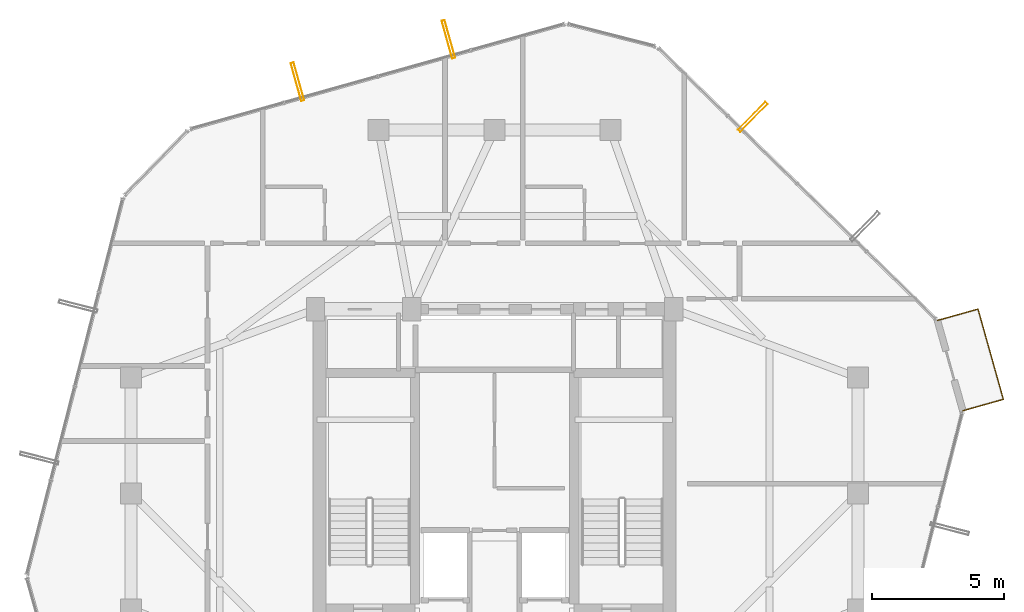
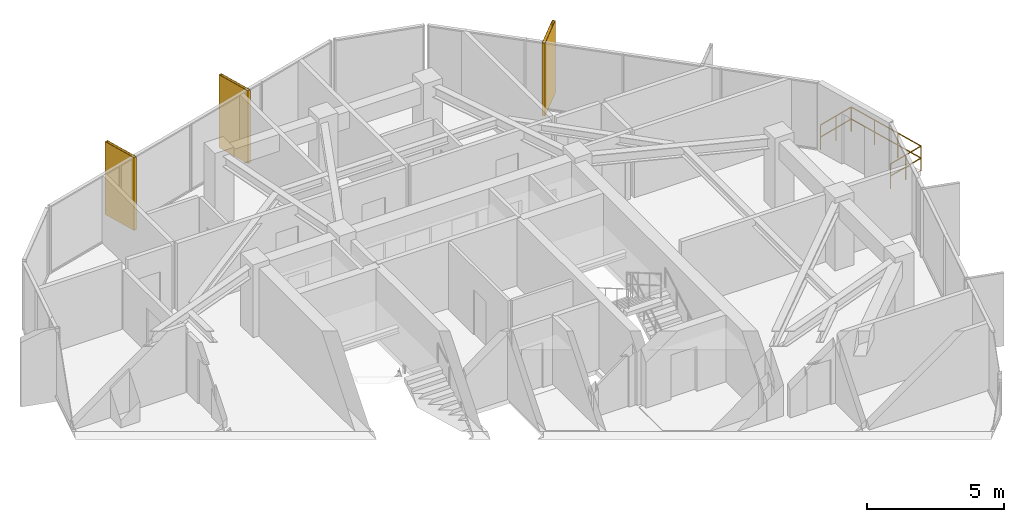
# One storey, part 29 of 29: 3 shading devices, 1 railing.
"""IFC4 building model written with IfcOpenShell, lengths in metres."""

from ifc_helpers import new_model, si_unit, direction, frame, origin, origin_2d, place, context, subcontext, project, spatial, hollow_rectangle, circle, extrude, material, material_profile, profile_set, type_object, element, save


model = new_model("IFC4")

# Units and contexts
model_context = context("Model", 3, precision=1e-05, world=origin(), true_north=direction((0.0, 1.0)))
body_context = subcontext(model_context, "Body", "Model", "MODEL_VIEW")
ifc_project = project(units=[si_unit("LENGTHUNIT", "METRE"), si_unit("AREAUNIT", "SQUARE_METRE"), si_unit("VOLUMEUNIT", "CUBIC_METRE"), si_unit("PLANEANGLEUNIT", "RADIAN"), si_unit("MASSUNIT", "GRAM", prefix="KILO")], contexts=[model_context])

# Site, building, storey
site_placement = place(None, origin())
site = spatial("IfcSite", under=ifc_project, at=site_placement, CompositionType="ELEMENT")
building_placement = place(site_placement, origin())
building = spatial("IfcBuilding", under=site, at=building_placement, Name="Veraguas Prism Commons", CompositionType="ELEMENT")
storey_placement = place(building_placement, frame((0.0, 0.0, 257.75)))
storey = spatial("IfcBuildingStorey", under=building, at=storey_placement, Name="L73", CompositionType="ELEMENT", Elevation=257.75)

# Shading devices
ifc_material_1 = material(Name="Anodised aluminium EN AW-6063 T6", Category="aluminium")
ifc_material_profile = material_profile(ifc_material_1, hollow_rectangle(XDim=0.1201171875, YDim=1.489990234375, WallThickness=0.006103515625, at=origin_2d()), Name="FIN120X1490X6")
ifc_profile_set = profile_set([ifc_material_profile], Name="Anodised aluminium EN AW-6063 T6")
shading_device_type = type_object("IfcShadingDeviceType", Name="Deep Pale-Metal Vertical Solar Fin 120x1490", PredefinedType="USERDEFINED", material=ifc_profile_set)
for number, where, z_axis, x_axis, name in (
    (1, (33.802734375, 38.299560546875, -0.215087890625), (0.0, 0.0, 1.0), (-0.715447677779, 0.698666315462, 0.0), "Vertical Pale-Metal Solar Fin L73-F1B"),
    (2, (22.25048828125, 41.24853515625, -0.215087890625), (0.0, 0.0, 1.0), (-0.962785201742, -0.27026774744, 0.0), "Vertical Pale-Metal Solar Fin L73-F2A"),
    (3, (16.517578125, 39.63916015625, -0.215087890625), (0.0, 0.0, 1.0), (-0.962785201742, -0.27026774744, 0.0), "Vertical Pale-Metal Solar Fin L73-F2B"),
):
    element("IfcShadingDevice", number, at=place(storey_placement, frame(where, z_axis=z_axis, x_axis=x_axis)), inside=storey, type_object=shading_device_type, Name=name, ObjectType="FIN", PredefinedType="USERDEFINED", context=body_context, shape_type="SweptSolid", body=[
        extrude(hollow_rectangle(XDim=0.1201171875, YDim=1.489990234375, WallThickness=0.006103515625, at=origin_2d()), origin(), (0.0, 0.0, 1.0), 3.25),
    ])

# Railing
ifc_material_2 = material(Name="Stainless steel AISI 316", Category="steel")
railing_type = type_object("IfcRailingType", Name="Loggia and Sky Pool Glazed Balustrade 1120", PredefinedType="BALUSTRADE", material=ifc_material_2)
railing_placement = place(storey_placement, frame((41.7841796875, 27.14208984375, 0.0)))
element("IfcRailing", 4, at=railing_placement, inside=storey, type_object=railing_type, Name="Recessed Corner Loggia L73-C1 Guard", PredefinedType="BALUSTRADE", context=body_context, shape_type="SweptSolid", body=[
    extrude(circle(Radius=0.02392578125, at=origin_2d()), frame((0.0, 0.0, 1.09619140625), z_axis=(0.962797444133, 0.270224132101, 0.0), x_axis=(-0.270224132101, 0.962797444133, 0.0)), (0.0, 0.0, 1.0), 1.60009765625),
    extrude(circle(Radius=0.02392578125, at=origin_2d()), frame((0.0, 0.0, 0.56005859375), z_axis=(0.962797444133, 0.270224132101, 0.0), x_axis=(-0.270224132101, 0.962797444133, 0.0)), (0.0, 0.0, 1.0), 1.60009765625),
    extrude(circle(Radius=0.02392578125, at=origin_2d()), frame((1.54052734375, 0.432373046875, 1.09619140625), z_axis=(-0.270283137334, 0.962780881443, 0.0), x_axis=(-0.962780881443, -0.270283137334, 0.0)), (0.0, 0.0, 1.0), 3.5625),
    extrude(circle(Radius=0.02392578125, at=origin_2d()), frame((1.54052734375, 0.432373046875, 0.56005859375), z_axis=(-0.270283137334, 0.962780881443, 0.0), x_axis=(-0.962780881443, -0.270283137334, 0.0)), (0.0, 0.0, 1.0), 3.5625),
    extrude(circle(Radius=0.02392578125, at=origin_2d()), frame((0.57763671875, 3.8623046875, 1.09619140625), z_axis=(-0.962797444133, -0.270224132101, 0.0), x_axis=(0.270224132101, -0.962797444133, 0.0)), (0.0, 0.0, 1.0), 1.60009765625),
    extrude(circle(Radius=0.02392578125, at=origin_2d()), frame((0.57763671875, 3.8623046875, 0.56005859375), z_axis=(-0.962797444133, -0.270224132101, 0.0), x_axis=(0.270224132101, -0.962797444133, 0.0)), (0.0, 0.0, 1.0), 1.60009765625),
    extrude(circle(Radius=0.02099609375, at=origin_2d()), origin(), (0.0, 0.0, 1.0), 1.072021484375),
    extrude(circle(Radius=0.02099609375, at=origin_2d()), frame((0.770263671875, 0.21630859375, 0.0)), (0.0, 0.0, 1.0), 1.072021484375),
    extrude(circle(Radius=0.02099609375, at=origin_2d()), frame((1.54052734375, 0.432373046875, 0.0)), (0.0, 0.0, 1.0), 1.072021484375),
    extrude(circle(Radius=0.02099609375, at=origin_2d()), frame((1.219482421875, 1.57568359375, 0.0)), (0.0, 0.0, 1.0), 1.072021484375),
    extrude(circle(Radius=0.02099609375, at=origin_2d()), frame((0.898681640625, 2.718994140625, 0.0)), (0.0, 0.0, 1.0), 1.072021484375),
    extrude(circle(Radius=0.02099609375, at=origin_2d()), frame((0.57763671875, 3.8623046875, 0.0)), (0.0, 0.0, 1.0), 1.072021484375),
    extrude(circle(Radius=0.02099609375, at=origin_2d()), frame((-0.192626953125, 3.64599609375, 0.0)), (0.0, 0.0, 1.0), 1.072021484375),
    extrude(circle(Radius=0.02099609375, at=origin_2d()), frame((-0.962890625, 3.429931640625, 0.0)), (0.0, 0.0, 1.0), 1.072021484375),
])

save(model, "model.ifc")
